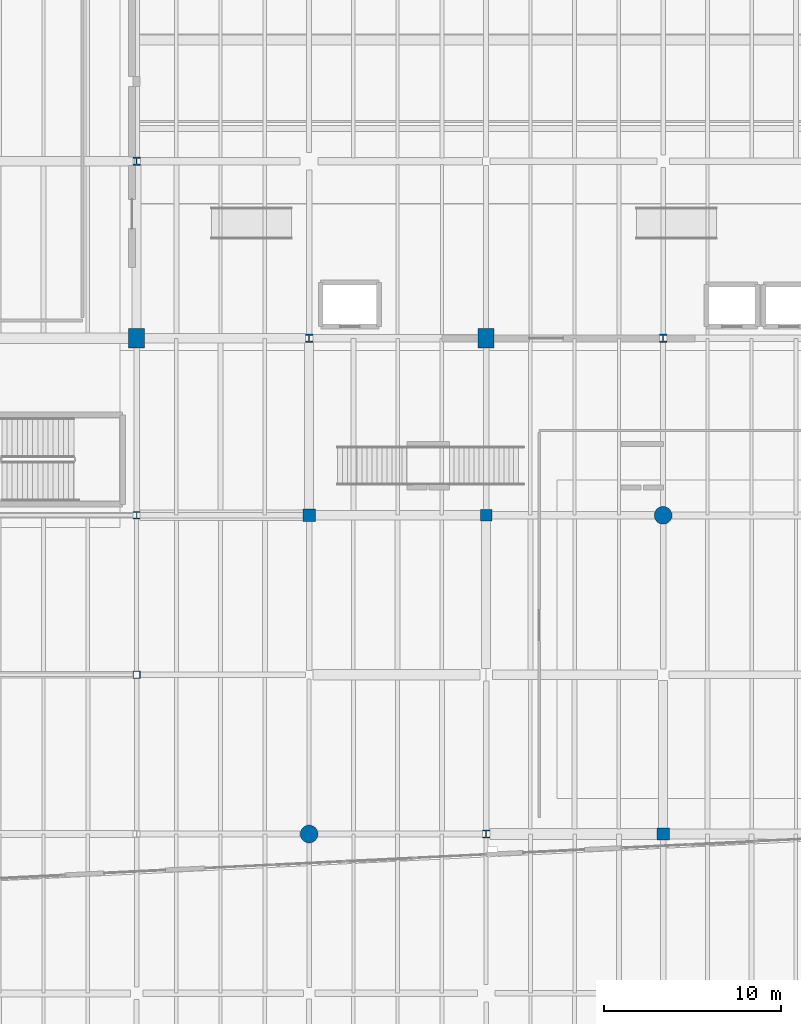
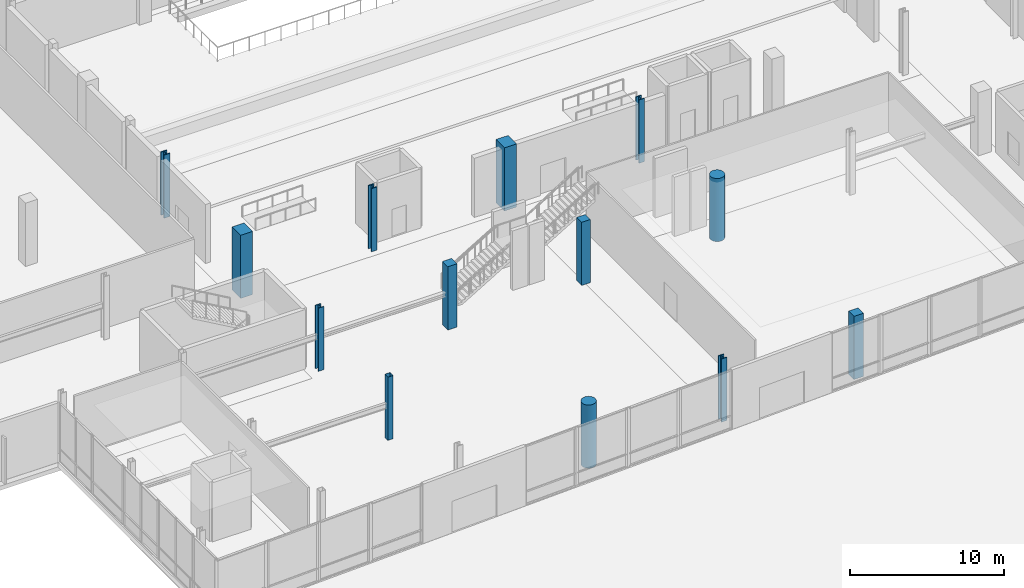
# One storey, part 5 of 88: 13 columns.
"""IFC4 building model written with IfcOpenShell, lengths in metres."""

import ifcopenshell
import ifcopenshell.guid

model = None  # the IFC model being written
_history = None  # IfcOwnerHistory: only IFC2X3 demands one
_inside = {}  # id of a spatial element -> (the spatial element, [elements in it])
_under = {}  # id of a project, library or spatial element -> (it, [spatial elements below it])
_declared = {}  # id of a project -> (the project, [libraries it declares])
_typed = {}  # id of a type object -> (the type object, [elements of that type])
_made_of = {}  # id of a material, layer set ... -> (it, [elements and type objects made of it])


def new_model(schema):
    """Start an empty IFC model of exactly this schema.

    Asked for "IFC4X3", IfcOpenShell would pick the latest addendum, in which some entities
    have other attributes; the version numbers below select the first issue.
    IFC2X3 requires an IfcOwnerHistory on every rooted entity: one is made here for all.
    """
    global model, _history
    if schema == "IFC4X3":
        model = ifcopenshell.file(schema_version=(4, 3, 0, 0))
    else:
        model = ifcopenshell.file(schema=schema)
    _inside.clear()
    _under.clear()
    _declared.clear()
    _typed.clear()
    _made_of.clear()
    _history = None
    if model.schema == "IFC2X3":
        org = make("IfcOrganization", Name="unknown")
        user = make(
            "IfcPersonAndOrganization",
            ThePerson=make("IfcPerson", FamilyName="unknown"),
            TheOrganization=org,
        )
        app = make(
            "IfcApplication",
            ApplicationDeveloper=org,
            Version="unknown",
            ApplicationFullName="unknown",
            ApplicationIdentifier="unknown",
        )
        _history = make(
            "IfcOwnerHistory",
            OwningUser=user,
            OwningApplication=app,
            ChangeAction="ADDED",
            CreationDate=0,
        )
    return model


def make(cls, **values):
    """One entity of the class cls with the attributes given. An attribute that is None is left unset."""
    return model.create_entity(
        cls, **{name: value for name, value in values.items() if value is not None}
    )


def rooted(cls, **values):
    """An entity with a GlobalId (a new one), such as an element, a storey or a relation."""
    return make(cls, GlobalId=ifcopenshell.guid.new(), OwnerHistory=_history, **values)


def si_unit(unit_type, name, prefix=None):
    """IfcSIUnit, for example si_unit("LENGTHUNIT", "METRE", prefix="MILLI")."""
    return make("IfcSIUnit", UnitType=unit_type, Prefix=prefix, Name=name)


def assignment(units):
    """IfcUnitAssignment: the units of a project."""
    return None if units is None else make("IfcUnitAssignment", Units=units)


def point(xyz):
    """IfcCartesianPoint."""
    return None if xyz is None else make("IfcCartesianPoint", Coordinates=xyz)


def direction(xyz):
    """IfcDirection."""
    return None if xyz is None else make("IfcDirection", DirectionRatios=xyz)


def frame(location, z_axis=None, x_axis=None):
    """IfcAxis2Placement3D, a coordinate frame: its origin and axes. An axis left out is left unset."""
    return make(
        "IfcAxis2Placement3D",
        Location=point(location),
        Axis=direction(z_axis),
        RefDirection=direction(x_axis),
    )


def frame_2d(location, x_axis=None):
    """IfcAxis2Placement2D, a coordinate frame in the plane: its origin and x axis."""
    return make(
        "IfcAxis2Placement2D", Location=point(location), RefDirection=direction(x_axis)
    )


def origin():
    """The frame at (0, 0, 0) with its axes left unset."""
    return frame((0.0, 0.0, 0.0))


def origin_2d():
    """The frame at (0, 0) in the plane with its x axis left unset."""
    return frame_2d((0.0, 0.0))


def place(relative_to, where):
    """IfcLocalPlacement: puts the frame where relative to a parent placement (None: the world)."""
    return make(
        "IfcLocalPlacement", PlacementRelTo=relative_to, RelativePlacement=where
    )


def context(
    kind, dimensions, precision=None, world=None, true_north=None, identifier=None
):
    """IfcGeometricRepresentationContext, for example the 3D "Model" context."""
    return make(
        "IfcGeometricRepresentationContext",
        ContextIdentifier=identifier,
        ContextType=kind,
        CoordinateSpaceDimension=dimensions,
        Precision=precision,
        WorldCoordinateSystem=world,
        TrueNorth=true_north,
    )


def subcontext(parent, identifier, kind, view, scale=None):
    """IfcGeometricRepresentationSubContext, for example "Body" below "Model"."""
    return make(
        "IfcGeometricRepresentationSubContext",
        ContextIdentifier=identifier,
        ContextType=kind,
        ParentContext=parent,
        TargetScale=scale,
        TargetView=view,
    )


def project(units=None, contexts=None):
    """IfcProject with its units and contexts."""
    return rooted(
        "IfcProject",
        Name="project",
        RepresentationContexts=contexts,
        UnitsInContext=assignment(units),
    )


def spatial(cls, under=None, at=None, **own):
    """A site, building, storey or space (cls), placed at a placement, below another one or the project."""
    s = rooted(cls, ObjectPlacement=at, **own)
    if under is not None:
        _under.setdefault(under.id(), (under, []))[1].append(s)
    return s


def profile(cls, at=None, kind="AREA", **sizes):
    """A parametric profile (cls). Its sizes go by their IFC names, for example OverallWidth=200.0."""
    return make(cls, ProfileType=kind, Position=at, **sizes)


def rectangle(**sizes):
    """IfcRectangleProfileDef."""
    return profile("IfcRectangleProfileDef", **sizes)


def hollow_rectangle(**sizes):
    """IfcRectangleHollowProfileDef."""
    return profile("IfcRectangleHollowProfileDef", **sizes)


def circle(**sizes):
    """IfcCircleProfileDef."""
    return profile("IfcCircleProfileDef", **sizes)


def i_section(**sizes):
    """IfcIShapeProfileDef."""
    return profile("IfcIShapeProfileDef", **sizes)


def extrude(swept, where, along, depth):
    """IfcExtrudedAreaSolid: the profile swept, set in the frame where, extruded along a direction by depth."""
    return make(
        "IfcExtrudedAreaSolid",
        SweptArea=swept,
        Position=where,
        ExtrudedDirection=direction(along),
        Depth=depth,
    )


def shape(context_of_items, identifier, shape_type, items):
    """IfcShapeRepresentation: the items that make up one representation, for example the "Body"."""
    return make(
        "IfcShapeRepresentation",
        ContextOfItems=context_of_items,
        RepresentationIdentifier=identifier,
        RepresentationType=shape_type,
        Items=items,
    )


def material(Name=None, Category=None):
    """IfcMaterial."""
    return make("IfcMaterial", Name=Name, Category=Category)


def material_profile(
    of_material, cross_section, Name=None, Category=None, Priority=None
):
    """IfcMaterialProfile: a cross section and its material."""
    return make(
        "IfcMaterialProfile",
        Name=Name,
        Material=of_material,
        Profile=cross_section,
        Priority=Priority,
        Category=Category,
    )


def profile_set(profiles, Name=None, composite=None):
    """IfcMaterialProfileSet."""
    return make(
        "IfcMaterialProfileSet",
        Name=Name,
        MaterialProfiles=profiles,
        CompositeProfile=composite,
    )


def made_of(thing, what):
    """Note that an element or type object is made of a material, layer set ...; save() writes the relation."""
    if what is not None:
        _made_of.setdefault(what.id(), (what, []))[1].append(thing)
    return thing


def type_object(cls, material=None, **own):
    """A type object (cls), such as IfcWallType, which elements share."""
    return made_of(rooted(cls, **own), material)


def element(
    cls,
    number,
    at=None,
    inside=None,
    cuts=None,
    type_object=None,
    material=None,
    context=None,
    identifier="Body",
    shape_type=None,
    held_by="IfcProductDefinitionShape",
    body=None,
    shapes=None,
    **own,
):
    """One element of the class cls, such as IfcWall. Its Tag is "e" and its number.

    at: its placement. inside: the storey or other place that contains it. cuts: it is an
    opening in that element (IfcRelVoidsElement). A single representation is given by context,
    identifier, shape_type and body (its items); several are given by shapes. held_by: the class
    of the entity that holds the representations. save() writes the other relations.
    """
    e = rooted(cls, Tag="e%d" % number, ObjectPlacement=at, **own)
    if body is not None:
        shapes = [shape(context, identifier, shape_type, body)]
    if shapes is not None:
        e.Representation = make(held_by, Representations=shapes)
    if inside is not None:
        _inside.setdefault(inside.id(), (inside, []))[1].append(e)
    if cuts is not None:
        rooted(
            "IfcRelVoidsElement", RelatingBuildingElement=cuts, RelatedOpeningElement=e
        )
    if type_object is not None:
        _typed.setdefault(type_object.id(), (type_object, []))[1].append(e)
    return made_of(e, material)


def aggregate(whole, parts):
    """IfcRelAggregates: a whole, such as a stair, and the parts it consists of."""
    return rooted("IfcRelAggregates", RelatingObject=whole, RelatedObjects=parts)


def save(model, path):
    """Write the relations noted so far, then the file.

    IfcRelAggregates (storeys below a building ...), IfcRelContainedInSpatialStructure (elements
    in a storey), IfcRelDefinesByType, IfcRelAssociatesMaterial and IfcRelDeclares: one each for
    every whole, place, type object, material and project.
    """
    for whole, parts in _under.values():
        aggregate(whole, parts)
    for where, things in _inside.values():
        rooted(
            "IfcRelContainedInSpatialStructure",
            RelatedElements=things,
            RelatingStructure=where,
        )
    for kind, things in _typed.values():
        rooted("IfcRelDefinesByType", RelatedObjects=things, RelatingType=kind)
    for what, things in _made_of.values():
        rooted("IfcRelAssociatesMaterial", RelatedObjects=things, RelatingMaterial=what)
    for by, libraries in _declared.values():
        rooted("IfcRelDeclares", RelatingContext=by, RelatedDefinitions=libraries)
    model.write(path)


model = new_model("IFC4")

# Units and contexts
model_context = context("Model", 3, precision=1e-05, world=origin(), true_north=direction((0.0, 1.0)))
body_context = subcontext(model_context, "Body", "Model", "MODEL_VIEW")
ifc_project = project(units=[si_unit("LENGTHUNIT", "METRE"), si_unit("AREAUNIT", "SQUARE_METRE"), si_unit("VOLUMEUNIT", "CUBIC_METRE"), si_unit("PLANEANGLEUNIT", "RADIAN"), si_unit("MASSUNIT", "GRAM", prefix="KILO")], contexts=[model_context])

# Site, building, storey
site_placement = place(None, origin())
site = spatial("IfcSite", under=ifc_project, at=site_placement, CompositionType="ELEMENT")
building_placement = place(site_placement, origin())
building = spatial("IfcBuilding", under=site, at=building_placement, Name="Trimount Lyric Opera House", CompositionType="ELEMENT")
storey_placement = place(building_placement, origin())
storey = spatial("IfcBuildingStorey", under=building, at=storey_placement, Name="L00", CompositionType="ELEMENT", Elevation=0.0)

# Columns
ifc_material_1 = material(Name="Steel ASTM A992 Grade 50", Category="steel")
ifc_material_profile_1 = material_profile(ifc_material_1, i_section(OverallWidth=0.422119140625, OverallDepth=0.465087890625, WebThickness=0.044921875, FlangeThickness=0.072509765625, FilletRadius=0.02001953125, at=origin_2d()), Name="W14X398")
ifc_profile_set_1 = profile_set([ifc_material_profile_1], Name="Steel ASTM A992 Grade 50")
column_type_1 = type_object("IfcColumnType", Name="C-01", PredefinedType="COLUMN", material=ifc_profile_set_1)
for number, where, z_axis, x_axis, name in (
    (1, (64.260009765625, 64.0, 0.0), (0.0, 0.0, 1.0), (1.0, 0.0, 0.0), "L00 column 8/H"),
    (2, (74.0, 54.0, 0.0), (0.0, 0.0, 1.0), (1.0, 0.0, 0.0), "L00 column 9/G"),
    (3, (94.0, 54.0, 0.0), (0.0, 0.0, 1.0), (1.0, 0.0, 0.0), "L00 column 11/G"),
):
    element("IfcColumn", number, at=place(storey_placement, frame(where, z_axis=z_axis, x_axis=x_axis)), inside=storey, type_object=column_type_1, Name=name, PredefinedType="COLUMN", context=body_context, shape_type="SweptSolid", body=[
        extrude(i_section(OverallWidth=0.422119140625, OverallDepth=0.465087890625, WebThickness=0.044921875, FlangeThickness=0.072509765625, FilletRadius=0.02001953125, at=origin_2d()), origin(), (0.0, 0.0, 1.0), 5.0),
    ])
ifc_material_2 = material(Name="Steel ASTM A992 Grade 50", Category="steel")
ifc_material_profile_2 = material_profile(ifc_material_2, i_section(OverallWidth=0.406005859375, OverallDepth=0.4169921875, WebThickness=0.02978515625, FlangeThickness=0.048095703125, FilletRadius=0.01806640625, at=origin_2d()), Name="W14X257")
ifc_profile_set_2 = profile_set([ifc_material_profile_2], Name="Steel ASTM A992 Grade 50")
column_type_2 = type_object("IfcColumnType", Name="C-02", PredefinedType="COLUMN", material=ifc_profile_set_2)
column_1_placement = place(storey_placement, frame((64.260009765625, 44.0, 0.0), z_axis=(0.0, 0.0, 1.0), x_axis=(1.0, 0.0, 0.0)))
element("IfcColumn", 4, at=column_1_placement, inside=storey, type_object=column_type_2, Name="L00 column 8/F", PredefinedType="COLUMN", context=body_context, shape_type="SweptSolid", body=[
    extrude(i_section(OverallWidth=0.406005859375, OverallDepth=0.4169921875, WebThickness=0.02978515625, FlangeThickness=0.048095703125, FilletRadius=0.01806640625, at=origin_2d()), origin(), (0.0, 0.0, 1.0), 5.0),
])
ifc_material_3 = material(Name="Steel ASTM A500 Grade C", Category="steel")
ifc_material_profile_3 = material_profile(ifc_material_3, hollow_rectangle(XDim=0.406494140625, YDim=0.406494140625, WallThickness=0.014892578125, InnerFilletRadius=0.01513671875, OuterFilletRadius=0.030029296875, at=origin_2d()), Name="HSS406.4X406.4X15.9")
ifc_profile_set_3 = profile_set([ifc_material_profile_3], Name="Steel ASTM A500 Grade C")
column_type_3 = type_object("IfcColumnType", Name="C-07", PredefinedType="COLUMN", material=ifc_profile_set_3)
column_2_placement = place(storey_placement, frame((64.260009765625, 35.0, 0.0), z_axis=(0.0, 0.0, 1.0), x_axis=(1.0, 0.0, 0.0)))
element("IfcColumn", 5, at=column_2_placement, inside=storey, type_object=column_type_3, Name="L00 column 8/E", PredefinedType="COLUMN", context=body_context, shape_type="SweptSolid", body=[
    extrude(hollow_rectangle(XDim=0.406494140625, YDim=0.406494140625, WallThickness=0.014892578125, InnerFilletRadius=0.01513671875, OuterFilletRadius=0.030029296875, at=origin_2d()), origin(), (0.0, 0.0, 1.0), 5.0),
])
ifc_material_4 = material(Name="Steel ASTM A992 Grade 50", Category="steel")
ifc_material_profile_4 = material_profile(ifc_material_4, i_section(OverallWidth=0.422119140625, OverallDepth=0.465087890625, WebThickness=0.044921875, FlangeThickness=0.072509765625, FilletRadius=0.02001953125, at=origin_2d()), Name="W14X398")
ifc_profile_set_4 = profile_set([ifc_material_profile_4], Name="Steel ASTM A992 Grade 50")
column_type_4 = type_object("IfcColumnType", Name="C-10", PredefinedType="COLUMN", material=ifc_profile_set_4)
column_3_placement = place(storey_placement, frame((84.0, 26.0, 0.0), z_axis=(0.0, 0.0, 1.0), x_axis=(1.0, 0.0, 0.0)))
element("IfcColumn", 6, at=column_3_placement, inside=storey, type_object=column_type_4, Name="L00 column 10/D", PredefinedType="COLUMN", context=body_context, shape_type="SweptSolid", body=[
    extrude(i_section(OverallWidth=0.422119140625, OverallDepth=0.465087890625, WebThickness=0.044921875, FlangeThickness=0.072509765625, FilletRadius=0.02001953125, at=origin_2d()), origin(), (0.0, 0.0, 1.0), 5.0),
])
ifc_material_5 = material(Name="Concrete C50/60", Category="concrete")
ifc_material_profile_5 = material_profile(ifc_material_5, rectangle(XDim=0.89990234375, YDim=1.10009765625, at=origin_2d()), Name="RC1100X900")
ifc_profile_set_5 = profile_set([ifc_material_profile_5], Name="Concrete C50/60")
column_type_5 = type_object("IfcColumnType", Name="C-11", PredefinedType="COLUMN", material=ifc_profile_set_5)
for number, where, z_axis, x_axis, name in (
    (7, (64.260009765625, 54.0, 0.0), (0.0, 0.0, 1.0), (1.0, 0.0, 0.0), "L00 column 8/G"),
    (8, (84.0, 54.0, 0.0), (0.0, 0.0, 1.0), (1.0, 0.0, 0.0), "L00 column 10/G"),
):
    element("IfcColumn", number, at=place(storey_placement, frame(where, z_axis=z_axis, x_axis=x_axis)), inside=storey, type_object=column_type_5, Name=name, PredefinedType="COLUMN", context=body_context, shape_type="SweptSolid", body=[
        extrude(rectangle(XDim=0.89990234375, YDim=1.10009765625, at=origin_2d()), origin(), (0.0, 0.0, 1.0), 5.0),
    ])
ifc_material_6 = material(Name="Concrete C40/50", Category="concrete")
ifc_material_profile_6 = material_profile(ifc_material_6, rectangle(XDim=0.699951171875, YDim=0.699951171875, at=origin_2d()), Name="RC700X700")
ifc_profile_set_6 = profile_set([ifc_material_profile_6], Name="Concrete C40/50")
column_type_6 = type_object("IfcColumnType", Name="C-16", PredefinedType="COLUMN", material=ifc_profile_set_6)
for number, where, z_axis, x_axis, name in (
    (9, (74.0, 44.0, 0.0), (0.0, 0.0, 1.0), (1.0, 0.0, 0.0), "L00 column 9/F"),
    (10, (94.0, 26.0, 0.0), (0.0, 0.0, 1.0), (1.0, 0.0, 0.0), "L00 column 11/D"),
):
    element("IfcColumn", number, at=place(storey_placement, frame(where, z_axis=z_axis, x_axis=x_axis)), inside=storey, type_object=column_type_6, Name=name, PredefinedType="COLUMN", context=body_context, shape_type="SweptSolid", body=[
        extrude(rectangle(XDim=0.699951171875, YDim=0.699951171875, at=origin_2d()), origin(), (0.0, 0.0, 1.0), 5.0),
    ])
ifc_material_7 = material(Name="Concrete C40/50", Category="concrete")
ifc_material_profile_7 = material_profile(ifc_material_7, rectangle(XDim=0.64990234375, YDim=0.64990234375, at=origin_2d()), Name="RC650X650")
ifc_profile_set_7 = profile_set([ifc_material_profile_7], Name="Concrete C40/50")
column_type_7 = type_object("IfcColumnType", Name="C-17", PredefinedType="COLUMN", material=ifc_profile_set_7)
column_4_placement = place(storey_placement, frame((84.0, 44.0, 0.0), z_axis=(0.0, 0.0, 1.0), x_axis=(1.0, 0.0, 0.0)))
element("IfcColumn", 11, at=column_4_placement, inside=storey, type_object=column_type_7, Name="L00 column 10/F", PredefinedType="COLUMN", context=body_context, shape_type="SweptSolid", body=[
    extrude(rectangle(XDim=0.64990234375, YDim=0.64990234375, at=origin_2d()), origin(), (0.0, 0.0, 1.0), 5.0),
])
ifc_material_8 = material(Name="Concrete C50/60", Category="concrete")
ifc_material_profile_8 = material_profile(ifc_material_8, circle(Radius=0.5, at=origin_2d()), Name="RC-D1000")
ifc_profile_set_8 = profile_set([ifc_material_profile_8], Name="Concrete C50/60")
column_type_8 = type_object("IfcColumnType", Name="C-18", PredefinedType="COLUMN", material=ifc_profile_set_8)
for number, where, z_axis, x_axis, name in (
    (12, (74.0, 26.0, 0.0), (0.0, 0.0, 1.0), (1.0, 0.0, 0.0), "L00 column 9/D"),
    (13, (94.0, 44.0, 0.0), (0.0, 0.0, 1.0), (1.0, 0.0, 0.0), "L00 column 11/F"),
):
    element("IfcColumn", number, at=place(storey_placement, frame(where, z_axis=z_axis, x_axis=x_axis)), inside=storey, type_object=column_type_8, Name=name, PredefinedType="COLUMN", context=body_context, shape_type="SweptSolid", body=[
        extrude(circle(Radius=0.5, at=origin_2d()), origin(), (0.0, 0.0, 1.0), 5.0),
    ])

save(model, "model.ifc")
